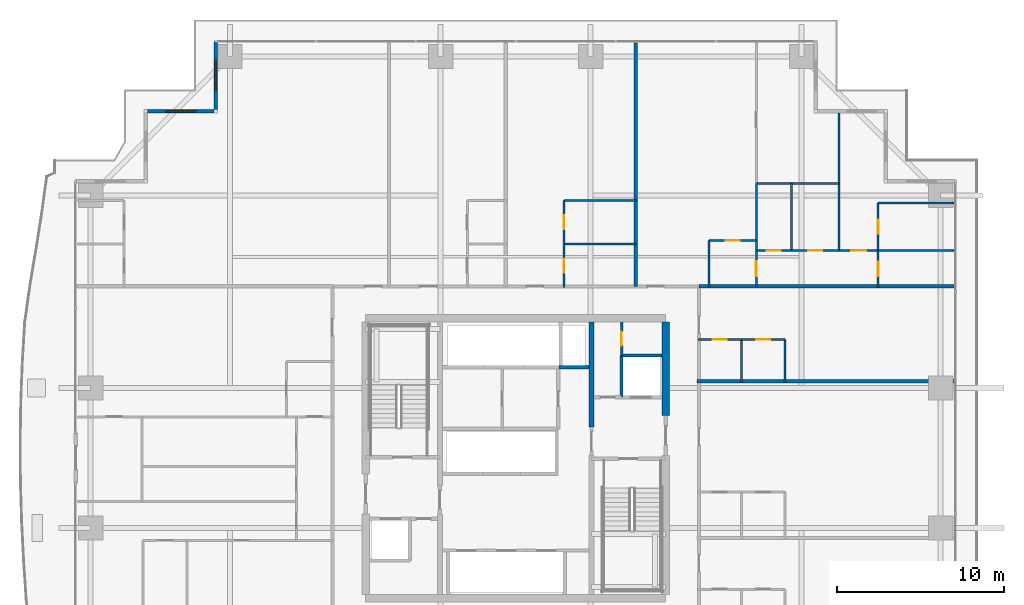
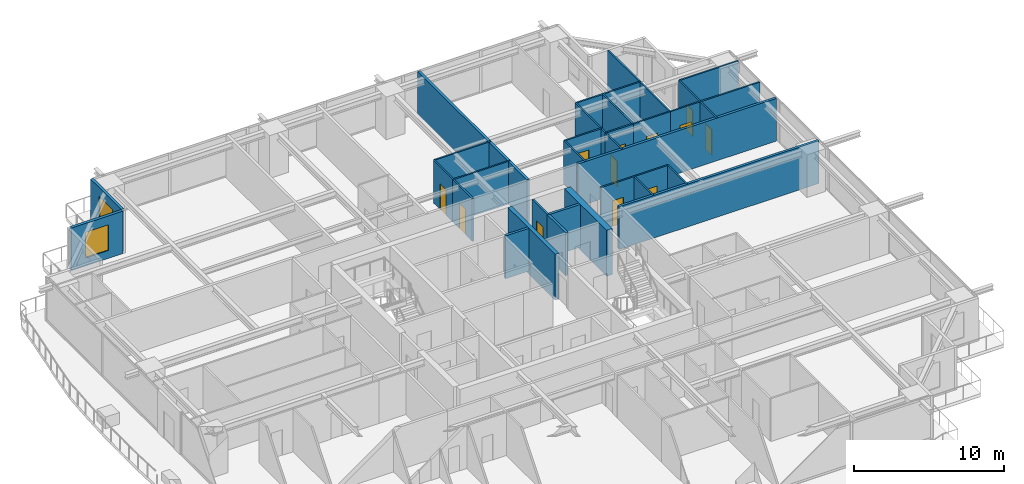
# One storey, part 31 of 40: 33 walls, 12 doors, 2 windows, 14 openings.
"""IFC4 building model written with IfcOpenShell, lengths in metres."""

from ifc_helpers import new_model, si_unit, direction, frame, frame_2d, origin, place, context, subcontext, project, spatial, rectangle, extrude, source, transform, mapped, material, layer, layer_set, type_object, element, fill, save


model = new_model("IFC4")

# Units and contexts
model_context = context("Model", 3, precision=1e-05, world=origin(), true_north=direction((0.0, 1.0)))
body_context = subcontext(model_context, "Body", "Model", "MODEL_VIEW")
ifc_project = project(units=[si_unit("LENGTHUNIT", "METRE"), si_unit("AREAUNIT", "SQUARE_METRE"), si_unit("VOLUMEUNIT", "CUBIC_METRE"), si_unit("PLANEANGLEUNIT", "RADIAN"), si_unit("MASSUNIT", "GRAM", prefix="KILO")], contexts=[model_context])

# Site, building, storey
site_placement = place(None, origin())
site = spatial("IfcSite", under=ifc_project, at=site_placement, CompositionType="ELEMENT")
building_placement = place(site_placement, origin())
building = spatial("IfcBuilding", under=site, at=building_placement, Name="Serunith Strait Residences", CompositionType="ELEMENT")
storey_placement = place(building_placement, frame((0.0, 0.0, 90.449951171875)))
storey = spatial("IfcBuildingStorey", under=building, at=storey_placement, Name="L22", CompositionType="ELEMENT", Elevation=90.449951171875)

# Wall, opening, window
ifc_material_1 = material(Name="Pale-Champagne Aluminium Insulated Panel", Category="aluminium")
ifc_layer_1 = layer(ifc_material_1, 0.219970703125, Name="Pale-Champagne Aluminium Insulated Panel")
ifc_layer_set_1 = layer_set([ifc_layer_1], Name="Pale-Champagne Aluminium Insulated Panel")
wall_type_1 = type_object("IfcWallType", Name="EW-ALUM-220", PredefinedType="ELEMENTEDWALL", material=ifc_layer_set_1)
wall_1_placement = place(storey_placement, frame((14.39990234375, 50.199951171875, 0.0), z_axis=(0.0, 0.0, 1.0), x_axis=(0.0, -1.0, 0.0)))
wall_1 = element("IfcWall", 1, at=wall_1_placement, inside=storey, type_object=wall_type_1, Name="L22 Girih Serrated Corner Wall 12", PredefinedType="ELEMENTEDWALL", context=body_context, shape_type="SweptSolid", body=[
    extrude(rectangle(XDim=4.08984375, YDim=0.219970703125, at=frame_2d((2.044921875, 0.0))), origin(), (0.0, 0.0, 1.0), 3.47509765625),
])
opening_1_placement = place(wall_1_placement, frame((1.14501953125, 0.0, 0.64990234375)))
opening_1 = element("IfcOpeningElement", 2, at=opening_1_placement, cuts=wall_1, Name="Opening W-01", PredefinedType="OPENING", context=body_context, shape_type="SweptSolid", body=[
    extrude(rectangle(XDim=1.800048828125, YDim=2.10009765625, at=frame_2d((0.89990234375, 1.050048828125))), frame((0.0, 0.1201171875, 0.0), z_axis=(0.0, -1.0, 0.0), x_axis=(1.0, 0.0, 0.0)), (0.0, 0.0, 1.0), 0.239990234375),
])
ifc_material_2 = material(Name="Ceramic-Fritted Operable Aluminium Window Glass", Category="aluminium")
window_type = type_object("IfcWindowType", Name="WIN-C1", PartitioningType="DOUBLE_PANEL_VERTICAL", PredefinedType="WINDOW", material=ifc_material_2)
shared_shape_1 = source(origin(), body_context, "Body", "SweptSolid", [
    extrude(rectangle(XDim=1.800048828125, YDim=2.10009765625, at=frame_2d((0.89990234375, 1.050048828125))), frame((0.0, 0.030029296875, 0.0), z_axis=(0.0, -1.0, 0.0), x_axis=(1.0, 0.0, 0.0)), (0.0, 0.0, 1.0), 0.06005859375),
])
window_1_placement = place(opening_1_placement, origin())
window_1 = element("IfcWindow", 3, at=window_1_placement, inside=storey, type_object=window_type, Name="L22 Corner Operable Fritted Window 12", OverallHeight=2.10009765625, OverallWidth=1.800048828125, PartitioningType="SINGLE_PANEL", PredefinedType="WINDOW", context=body_context, shape_type="MappedRepresentation", body=[
    mapped(shared_shape_1, transform((0.0, 0.0, 0.0), scale=1.0)),
])
fill(opening_1, window_1)

wall_2_placement = place(storey_placement, frame((14.2900390625, 46.0, 0.0), z_axis=(0.0, 0.0, 1.0), x_axis=(-1.0, 0.0, 0.0)))
wall_2 = element("IfcWall", 4, at=wall_2_placement, inside=storey, type_object=wall_type_1, Name="L22 Girih Serrated Corner Wall 13", PredefinedType="ELEMENTEDWALL", context=body_context, shape_type="SweptSolid", body=[
    extrude(rectangle(XDim=3.97998046875, YDim=0.219970703125, at=frame_2d((1.989990234375, 0.0))), origin(), (0.0, 0.0, 1.0), 3.47509765625),
])
opening_2_placement = place(wall_2_placement, frame((1.090087890625, 0.0, 0.64990234375)))
opening_2 = element("IfcOpeningElement", 5, at=opening_2_placement, cuts=wall_2, Name="Opening W-01", PredefinedType="OPENING", context=body_context, shape_type="SweptSolid", body=[
    extrude(rectangle(XDim=1.800048828125, YDim=2.10009765625, at=frame_2d((0.89990234375, 1.050048828125))), frame((0.0, 0.1201171875, 0.0), z_axis=(0.0, -1.0, 0.0), x_axis=(1.0, 0.0, 0.0)), (0.0, 0.0, 1.0), 0.239990234375),
])
window_2_placement = place(opening_2_placement, origin())
window_2 = element("IfcWindow", 6, at=window_2_placement, inside=storey, type_object=window_type, Name="L22 Corner Operable Fritted Window 13", OverallHeight=2.10009765625, OverallWidth=1.800048828125, PartitioningType="SINGLE_PANEL", PredefinedType="WINDOW", context=body_context, shape_type="MappedRepresentation", body=[
    mapped(shared_shape_1, transform((0.0, 0.0, 0.0), scale=1.0)),
])
fill(opening_2, window_2)

# Wall, opening, door
ifc_material_3 = material(Name="Fire-rated masonry service closet wall", Category="masonry")
ifc_layer_2 = layer(ifc_material_3, 0.14990234375, Name="Fire-rated masonry service closet wall")
ifc_layer_set_2 = layer_set([ifc_layer_2], Name="Fire-rated masonry service closet wall")
wall_type_2 = type_object("IfcWallType", Name="IW-BOH-150", PredefinedType="PARTITIONING", material=ifc_layer_set_2)
wall_3_placement = place(storey_placement, frame((38.75, 31.35205078125, 0.0), z_axis=(0.0, 0.0, 1.0), x_axis=(0.0, 1.0, 0.0)))
wall_3 = element("IfcWall", 7, at=wall_3_placement, inside=storey, type_object=wall_type_2, Name="L22 Partition Wall 012", PredefinedType="PARTITIONING", context=body_context, shape_type="SweptSolid", body=[
    extrude(rectangle(XDim=2.02294921875, YDim=0.14990234375, at=frame_2d((1.011474609375, 0.0))), origin(), (0.0, 0.0, 1.0), 3.489990234375),
])
opening_3_placement = place(wall_3_placement, frame((0.5859375, 0.0, 0.0)))
opening_3 = element("IfcOpeningElement", 8, at=opening_3_placement, cuts=wall_3, Name="Opening FD-850", PredefinedType="OPENING", context=body_context, shape_type="SweptSolid", body=[
    extrude(rectangle(XDim=0.85009765625, YDim=2.10009765625, at=frame_2d((0.425048828125, 1.050048828125))), frame((0.0, 0.0849609375, 0.0), z_axis=(0.0, -1.0, 0.0), x_axis=(1.0, 0.0, 0.0)), (0.0, 0.0, 1.0), 0.169921875),
])
ifc_material_4 = material(Name="Powder-coated steel service closet door", Category="steel")
door_type_1 = type_object("IfcDoorType", Name="FD-BOH-850", OperationType="NOTDEFINED", PredefinedType="DOOR", material=ifc_material_4)
shared_shape_2 = source(origin(), body_context, "Body", "SweptSolid", [
    extrude(rectangle(XDim=0.85009765625, YDim=2.10009765625, at=frame_2d((0.425048828125, 1.050048828125))), frame((0.0, 0.02490234375, 0.0), z_axis=(0.0, -1.0, 0.0), x_axis=(1.0, 0.0, 0.0)), (0.0, 0.0, 1.0), 0.050048828125),
])
door_1_placement = place(opening_3_placement, origin())
door_1 = element("IfcDoor", 9, at=door_1_placement, inside=storey, type_object=door_type_1, Name="L22 ELV Data Closet Door", OperationType="SINGLE_SWING_RIGHT", OverallHeight=2.10009765625, OverallWidth=0.85009765625, PredefinedType="DOOR", context=body_context, shape_type="MappedRepresentation", body=[
    mapped(shared_shape_2, transform((0.0, 0.0, 0.0), scale=1.0)),
])
fill(opening_3, door_1)

ifc_material_5 = material(Name="Lightweight steel-stud gypsum partition", Category="steel")
ifc_layer_3 = layer(ifc_material_5, 0.1201171875, Name="Lightweight steel-stud gypsum partition")
ifc_layer_set_3 = layer_set([ifc_layer_3], Name="Lightweight steel-stud gypsum partition")
wall_type_3 = type_object("IfcWallType", Name="IW-PART-120", PredefinedType="PARTITIONING", material=ifc_layer_set_3)
wall_4_placement = place(storey_placement, frame((35.300048828125, 40.64990234375, 0.0), z_axis=(0.0, 0.0, 1.0), x_axis=(0.0, -1.0, 0.0)))
wall_4 = element("IfcWall", 10, at=wall_4_placement, inside=storey, type_object=wall_type_3, Name="L22 Partition Wall 066", PredefinedType="PARTITIONING", context=body_context, shape_type="SweptSolid", body=[
    extrude(rectangle(XDim=2.599853515625, YDim=0.1201171875, at=frame_2d((1.2998046875, 0.0))), origin(), (0.0, 0.0, 1.0), 3.489990234375),
])
opening_4_placement = place(wall_4_placement, frame((0.875, 0.0, 0.0)))
opening_4 = element("IfcOpeningElement", 11, at=opening_4_placement, cuts=wall_4, Name="Opening D-RM850", PredefinedType="OPENING", context=body_context, shape_type="SweptSolid", body=[
    extrude(rectangle(XDim=0.85009765625, YDim=2.10009765625, at=frame_2d((0.425048828125, 1.050048828125))), frame((0.0, 0.070068359375, 0.0), z_axis=(0.0, -1.0, 0.0), x_axis=(1.0, 0.0, 0.0)), (0.0, 0.0, 1.0), 0.14013671875),
])
ifc_material_6 = material(Name="Engineered timber flush study and kitchen door", Category="wood")
door_type_2 = type_object("IfcDoorType", Name="ID-ROOM-850", OperationType="NOTDEFINED", PredefinedType="DOOR", material=ifc_material_6)
door_2_placement = place(opening_4_placement, origin())
door_2 = element("IfcDoor", 12, at=door_2_placement, inside=storey, type_object=door_type_2, Name="L22 Kitchen 2204 Door", OperationType="SINGLE_SWING_RIGHT", OverallHeight=2.10009765625, OverallWidth=0.85009765625, PredefinedType="DOOR", context=body_context, shape_type="MappedRepresentation", body=[
    mapped(shared_shape_2, transform((0.0, 0.0, 0.0), scale=1.0)),
])
fill(opening_4, door_2)

wall_5_placement = place(storey_placement, frame((35.300048828125, 38.048095703125, 0.0), z_axis=(0.0, 0.0, 1.0), x_axis=(0.0, -1.0, 0.0)))
wall_5 = element("IfcWall", 13, at=wall_5_placement, inside=storey, type_object=wall_type_3, Name="L22 Partition Wall 067", PredefinedType="PARTITIONING", context=body_context, shape_type="SweptSolid", body=[
    extrude(rectangle(XDim=2.608154296875, YDim=0.1201171875, at=frame_2d((1.30419921875, 0.0))), origin(), (0.0, 0.0, 1.0), 3.489990234375),
])
opening_5_placement = place(wall_5_placement, frame((0.87890625, 0.0, 0.0)))
opening_5 = element("IfcOpeningElement", 14, at=opening_5_placement, cuts=wall_5, Name="Opening D-BTH850", PredefinedType="OPENING", context=body_context, shape_type="SweptSolid", body=[
    extrude(rectangle(XDim=0.85009765625, YDim=2.10009765625, at=frame_2d((0.425048828125, 1.050048828125))), frame((0.0, 0.070068359375, 0.0), z_axis=(0.0, -1.0, 0.0), x_axis=(1.0, 0.0, 0.0)), (0.0, 0.0, 1.0), 0.14013671875),
])
ifc_material_7 = material(Name="Moisture-resistant timber bathroom door", Category="wood")
door_type_3 = type_object("IfcDoorType", Name="ID-BATH-850", OperationType="NOTDEFINED", PredefinedType="DOOR", material=ifc_material_7)
door_3_placement = place(opening_5_placement, origin())
door_3 = element("IfcDoor", 15, at=door_3_placement, inside=storey, type_object=door_type_3, Name="L22 Bathroom 2204 Door", OperationType="SINGLE_SWING_LEFT", OverallHeight=2.10009765625, OverallWidth=0.85009765625, PredefinedType="DOOR", context=body_context, shape_type="MappedRepresentation", body=[
    mapped(shared_shape_2, transform((0.0, 0.0, 0.0), scale=1.0)),
])
fill(opening_5, door_3)

# Walls
for number, where, z_axis, x_axis, name in (
    (16, (35.300048828125, 38.050048828125, 0.0), (0.0, 0.0, 1.0), (1.0, 0.0, 0.0), "L22 Partition Wall 068"),
    (17, (35.300048828125, 40.64990234375, 0.0), (0.0, 0.0, 1.0), (1.0, 0.0, 0.0), "L22 Partition Wall 069"),
):
    element("IfcWall", number, at=place(storey_placement, frame(where, z_axis=z_axis, x_axis=x_axis)), inside=storey, type_object=wall_type_3, Name=name, PredefinedType="PARTITIONING", context=body_context, shape_type="SweptSolid", body=[
        extrude(rectangle(XDim=4.35986328125, YDim=0.1201171875, at=frame_2d((2.179931640625, 0.0))), origin(), (0.0, 0.0, 1.0), 3.489990234375),
    ])

# Wall, opening, door
wall_6_placement = place(storey_placement, frame((43.989990234375, 38.25, 0.0), z_axis=(0.0, 0.0, 1.0), x_axis=(1.0, 0.0, 0.0)))
wall_6 = element("IfcWall", 18, at=wall_6_placement, inside=storey, type_object=wall_type_3, Name="L22 Partition Wall 070", PredefinedType="PARTITIONING", context=body_context, shape_type="SweptSolid", body=[
    extrude(rectangle(XDim=2.85009765625, YDim=0.1201171875, at=frame_2d((1.425048828125, 0.0))), origin(), (0.0, 0.0, 1.0), 3.489990234375),
])
opening_6_placement = place(wall_6_placement, frame((1.0, 0.0, 0.0)))
opening_6 = element("IfcOpeningElement", 19, at=opening_6_placement, cuts=wall_6, Name="Opening D-RM850", PredefinedType="OPENING", context=body_context, shape_type="SweptSolid", body=[
    extrude(rectangle(XDim=0.85009765625, YDim=2.10009765625, at=frame_2d((0.425048828125, 1.050048828125))), frame((0.0, 0.070068359375, 0.0), z_axis=(0.0, -1.0, 0.0), x_axis=(1.0, 0.0, 0.0)), (0.0, 0.0, 1.0), 0.14013671875),
])
door_4_placement = place(opening_6_placement, origin())
door_4 = element("IfcDoor", 20, at=door_4_placement, inside=storey, type_object=door_type_2, Name="L22 Kitchen 2205 Door", OperationType="SINGLE_SWING_RIGHT", OverallHeight=2.10009765625, OverallWidth=0.85009765625, PredefinedType="DOOR", context=body_context, shape_type="MappedRepresentation", body=[
    mapped(shared_shape_2, transform((0.0, 0.0, 0.0), scale=1.0)),
])
fill(opening_6, door_4)

# Wall
wall_7_placement = place(storey_placement, frame((43.989990234375, 38.25, 0.0), z_axis=(0.0, 0.0, 1.0), x_axis=(0.0, -1.0, 0.0)))
element("IfcWall", 21, at=wall_7_placement, inside=storey, type_object=wall_type_3, Name="L22 Partition Wall 071", PredefinedType="PARTITIONING", context=body_context, shape_type="SweptSolid", body=[
    extrude(rectangle(XDim=2.81005859375, YDim=0.1201171875, at=frame_2d((1.405029296875, 0.0))), origin(), (0.0, 0.0, 1.0), 3.489990234375),
])

# Wall, opening, door
wall_8_placement = place(storey_placement, frame((46.840087890625, 37.64990234375, 0.0), z_axis=(0.0, 0.0, 1.0), x_axis=(0.0, -1.0, 0.0)))
wall_8 = element("IfcWall", 22, at=wall_8_placement, inside=storey, type_object=wall_type_3, Name="L22 Partition Wall 072", PredefinedType="PARTITIONING", context=body_context, shape_type="SweptSolid", body=[
    extrude(rectangle(XDim=2.2099609375, YDim=0.1201171875, at=frame_2d((1.10498046875, 0.0))), origin(), (0.0, 0.0, 1.0), 3.489990234375),
])
opening_7_placement = place(wall_8_placement, frame((0.655029296875, 0.0, 0.0)))
opening_7 = element("IfcOpeningElement", 23, at=opening_7_placement, cuts=wall_8, Name="Opening D-RM900", PredefinedType="OPENING", context=body_context, shape_type="SweptSolid", body=[
    extrude(rectangle(XDim=0.89990234375, YDim=2.10009765625, at=frame_2d((0.449951171875, 1.050048828125))), frame((0.0, 0.070068359375, 0.0), z_axis=(0.0, -1.0, 0.0), x_axis=(1.0, 0.0, 0.0)), (0.0, 0.0, 1.0), 0.14013671875),
])
ifc_material_8 = material(Name="Engineered timber flush bedroom door", Category="wood")
door_type_4 = type_object("IfcDoorType", Name="ID-ROOM-900", OperationType="NOTDEFINED", PredefinedType="DOOR", material=ifc_material_8)
shared_shape_3 = source(origin(), body_context, "Body", "SweptSolid", [
    extrude(rectangle(XDim=0.89990234375, YDim=2.10009765625, at=frame_2d((0.449951171875, 1.050048828125))), frame((0.0, 0.02490234375, 0.0), z_axis=(0.0, -1.0, 0.0), x_axis=(1.0, 0.0, 0.0)), (0.0, 0.0, 1.0), 0.050048828125),
])
door_5_placement = place(opening_7_placement, origin())
door_5 = element("IfcDoor", 24, at=door_5_placement, inside=storey, type_object=door_type_4, Name="L22 Hall E 2205 Door", OperationType="SINGLE_SWING_LEFT", OverallHeight=2.10009765625, OverallWidth=0.89990234375, PredefinedType="DOOR", context=body_context, shape_type="MappedRepresentation", body=[
    mapped(shared_shape_3, transform((0.0, 0.0, 0.0), scale=1.0)),
])
fill(opening_7, door_5)

# Walls
wall_9_placement = place(storey_placement, frame((46.840087890625, 41.6650390625, 0.0), z_axis=(0.0, 0.0, 1.0), x_axis=(0.0, -1.0, 0.0)))
element("IfcWall", 25, at=wall_9_placement, inside=storey, type_object=wall_type_3, Name="L22 Partition Wall 074", PredefinedType="PARTITIONING", context=body_context, shape_type="SweptSolid", body=[
    extrude(rectangle(XDim=4.012939453125, YDim=0.1201171875, at=frame_2d((2.00634765625, 0.0))), origin(), (0.0, 0.0, 1.0), 3.489990234375),
])
wall_10_placement = place(storey_placement, frame((46.840087890625, 41.6669921875, 0.0), z_axis=(0.0, 0.0, 1.0), x_axis=(1.0, 0.0, 0.0)))
element("IfcWall", 26, at=wall_10_placement, inside=storey, type_object=wall_type_3, Name="L22 Partition Wall 075", PredefinedType="PARTITIONING", context=body_context, shape_type="SweptSolid", body=[
    extrude(rectangle(XDim=4.9599609375, YDim=0.1201171875, at=frame_2d((2.47998046875, 0.0))), origin(), (0.0, 0.0, 1.0), 3.489990234375),
])
wall_11_placement = place(storey_placement, frame((51.800048828125, 45.905029296875, 0.0), z_axis=(0.0, 0.0, 1.0), x_axis=(0.0, -1.0, 0.0)))
element("IfcWall", 27, at=wall_11_placement, inside=storey, type_object=wall_type_3, Name="L22 Partition Wall 076", PredefinedType="PARTITIONING", context=body_context, shape_type="SweptSolid", body=[
    extrude(rectangle(XDim=8.255126953125, YDim=0.1201171875, at=frame_2d((4.12744140625, 0.0))), origin(), (0.0, 0.0, 1.0), 3.489990234375),
])
wall_12_placement = place(storey_placement, frame((48.93994140625, 41.6669921875, 0.0), z_axis=(0.0, 0.0, 1.0), x_axis=(0.0, -1.0, 0.0)))
element("IfcWall", 28, at=wall_12_placement, inside=storey, type_object=wall_type_3, Name="L22 Partition Wall 077", PredefinedType="PARTITIONING", context=body_context, shape_type="SweptSolid", body=[
    extrude(rectangle(XDim=4.01708984375, YDim=0.1201171875, at=frame_2d((2.008544921875, 0.0))), origin(), (0.0, 0.0, 1.0), 3.489990234375),
])

# Wall, opening, door
wall_13_placement = place(storey_placement, frame((46.840087890625, 37.64990234375, 0.0), z_axis=(0.0, 0.0, 1.0), x_axis=(1.0, 0.0, 0.0)))
wall_13 = element("IfcWall", 29, at=wall_13_placement, inside=storey, type_object=wall_type_3, Name="L22 Partition Wall 078", PredefinedType="PARTITIONING", context=body_context, shape_type="SweptSolid", body=[
    extrude(rectangle(XDim=2.099853515625, YDim=0.1201171875, at=frame_2d((1.0498046875, 0.0))), origin(), (0.0, 0.0, 1.0), 3.489990234375),
])
opening_8_placement = place(wall_13_placement, frame((0.625, 0.0, 0.0)))
opening_8 = element("IfcOpeningElement", 30, at=opening_8_placement, cuts=wall_13, Name="Opening D-BTH850", PredefinedType="OPENING", context=body_context, shape_type="SweptSolid", body=[
    extrude(rectangle(XDim=0.85009765625, YDim=2.10009765625, at=frame_2d((0.425048828125, 1.050048828125))), frame((0.0, 0.070068359375, 0.0), z_axis=(0.0, -1.0, 0.0), x_axis=(1.0, 0.0, 0.0)), (0.0, 0.0, 1.0), 0.14013671875),
])
door_6_placement = place(opening_8_placement, origin())
door_6 = element("IfcDoor", 31, at=door_6_placement, inside=storey, type_object=door_type_3, Name="L22 Bathroom 2205 Door", OperationType="SINGLE_SWING_LEFT", OverallHeight=2.10009765625, OverallWidth=0.85009765625, PredefinedType="DOOR", context=body_context, shape_type="MappedRepresentation", body=[
    mapped(shared_shape_2, transform((0.0, 0.0, 0.0), scale=1.0)),
])
fill(opening_8, door_6)

wall_14_placement = place(storey_placement, frame((48.94189453125, 37.64990234375, 0.0), z_axis=(0.0, 0.0, 1.0), x_axis=(1.0, 0.0, 0.0)))
wall_14 = element("IfcWall", 32, at=wall_14_placement, inside=storey, type_object=wall_type_3, Name="L22 Partition Wall 079", PredefinedType="PARTITIONING", context=body_context, shape_type="SweptSolid", body=[
    extrude(rectangle(XDim=2.858154296875, YDim=0.1201171875, at=frame_2d((1.42919921875, 0.0))), origin(), (0.0, 0.0, 1.0), 3.489990234375),
])
opening_9_placement = place(wall_14_placement, frame((1.00390625, 0.0, 0.0)))
opening_9 = element("IfcOpeningElement", 33, at=opening_9_placement, cuts=wall_14, Name="Opening D-RM850", PredefinedType="OPENING", context=body_context, shape_type="SweptSolid", body=[
    extrude(rectangle(XDim=0.85009765625, YDim=2.10009765625, at=frame_2d((0.425048828125, 1.050048828125))), frame((0.0, 0.070068359375, 0.0), z_axis=(0.0, -1.0, 0.0), x_axis=(1.0, 0.0, 0.0)), (0.0, 0.0, 1.0), 0.14013671875),
])
door_7_placement = place(opening_9_placement, origin())
door_7 = element("IfcDoor", 34, at=door_7_placement, inside=storey, type_object=door_type_2, Name="L22 Formal Dining Room 2205 Door", OperationType="SINGLE_SWING_RIGHT", OverallHeight=2.10009765625, OverallWidth=0.85009765625, PredefinedType="DOOR", context=body_context, shape_type="MappedRepresentation", body=[
    mapped(shared_shape_2, transform((0.0, 0.0, 0.0), scale=1.0)),
])
fill(opening_9, door_7)

wall_15_placement = place(storey_placement, frame((51.802001953125, 37.64990234375, 0.0), z_axis=(0.0, 0.0, 1.0), x_axis=(1.0, 0.0, 0.0)))
wall_15 = element("IfcWall", 35, at=wall_15_placement, inside=storey, type_object=wall_type_3, Name="L22 Partition Wall 080", PredefinedType="PARTITIONING", context=body_context, shape_type="SweptSolid", body=[
    extrude(rectangle(XDim=2.347900390625, YDim=0.1201171875, at=frame_2d((1.173828125, 0.0))), origin(), (0.0, 0.0, 1.0), 3.489990234375),
])
opening_10_placement = place(wall_15_placement, frame((0.72412109375, 0.0, 0.0)))
opening_10 = element("IfcOpeningElement", 36, at=opening_10_placement, cuts=wall_15, Name="Opening D-RM900", PredefinedType="OPENING", context=body_context, shape_type="SweptSolid", body=[
    extrude(rectangle(XDim=0.89990234375, YDim=2.10009765625, at=frame_2d((0.449951171875, 1.050048828125))), frame((0.0, 0.070068359375, 0.0), z_axis=(0.0, -1.0, 0.0), x_axis=(1.0, 0.0, 0.0)), (0.0, 0.0, 1.0), 0.14013671875),
])
door_8_placement = place(opening_10_placement, origin())
door_8 = element("IfcDoor", 37, at=door_8_placement, inside=storey, type_object=door_type_4, Name="L22 Master Bedroom E 2205 Door", OperationType="SINGLE_SWING_LEFT", OverallHeight=2.10009765625, OverallWidth=0.89990234375, PredefinedType="DOOR", context=body_context, shape_type="MappedRepresentation", body=[
    mapped(shared_shape_3, transform((0.0, 0.0, 0.0), scale=1.0)),
])
fill(opening_10, door_8)

# Walls
wall_16_placement = place(storey_placement, frame((54.14990234375, 40.506103515625, 0.0), z_axis=(0.0, 0.0, 1.0), x_axis=(1.0, 0.0, 0.0)))
element("IfcWall", 38, at=wall_16_placement, inside=storey, type_object=wall_type_3, Name="L22 Partition Wall 081", PredefinedType="PARTITIONING", context=body_context, shape_type="SweptSolid", body=[
    extrude(rectangle(XDim=4.55517578125, YDim=0.1201171875, at=frame_2d((2.277587890625, 0.0))), origin(), (0.0, 0.0, 1.0), 3.489990234375),
])
wall_17_placement = place(storey_placement, frame((54.152099609375, 37.64990234375, 0.0), z_axis=(0.0, 0.0, 1.0), x_axis=(1.0, 0.0, 0.0)))
element("IfcWall", 39, at=wall_17_placement, inside=storey, type_object=wall_type_3, Name="L22 Partition Wall 082", PredefinedType="PARTITIONING", context=body_context, shape_type="SweptSolid", body=[
    extrude(rectangle(XDim=4.552978515625, YDim=0.1201171875, at=frame_2d((2.2763671875, 0.0))), origin(), (0.0, 0.0, 1.0), 3.489990234375),
])

# Wall, opening, door
wall_18_placement = place(storey_placement, frame((54.14990234375, 40.506103515625, 0.0), z_axis=(0.0, 0.0, 1.0), x_axis=(0.0, -1.0, 0.0)))
wall_18 = element("IfcWall", 40, at=wall_18_placement, inside=storey, type_object=wall_type_3, Name="L22 Partition Wall 083", PredefinedType="PARTITIONING", context=body_context, shape_type="SweptSolid", body=[
    extrude(rectangle(XDim=2.856201171875, YDim=0.1201171875, at=frame_2d((1.42822265625, 0.0))), origin(), (0.0, 0.0, 1.0), 3.489990234375),
])
opening_11_placement = place(wall_18_placement, frame((1.0029296875, 0.0, 0.0)))
opening_11 = element("IfcOpeningElement", 41, at=opening_11_placement, cuts=wall_18, Name="Opening D-BTH850", PredefinedType="OPENING", context=body_context, shape_type="SweptSolid", body=[
    extrude(rectangle(XDim=0.85009765625, YDim=2.10009765625, at=frame_2d((0.425048828125, 1.050048828125))), frame((0.0, 0.070068359375, 0.0), z_axis=(0.0, -1.0, 0.0), x_axis=(1.0, 0.0, 0.0)), (0.0, 0.0, 1.0), 0.14013671875),
])
door_9_placement = place(opening_11_placement, origin())
door_9 = element("IfcDoor", 42, at=door_9_placement, inside=storey, type_object=door_type_3, Name="L22 En-suite Bathroom E 2205 Door", OperationType="SINGLE_SWING_RIGHT", OverallHeight=2.10009765625, OverallWidth=0.85009765625, PredefinedType="DOOR", context=body_context, shape_type="MappedRepresentation", body=[
    mapped(shared_shape_2, transform((0.0, 0.0, 0.0), scale=1.0)),
])
fill(opening_11, door_9)

wall_19_placement = place(storey_placement, frame((54.14990234375, 37.64794921875, 0.0), z_axis=(0.0, 0.0, 1.0), x_axis=(0.0, -1.0, 0.0)))
wall_19 = element("IfcWall", 43, at=wall_19_placement, inside=storey, type_object=wall_type_3, Name="L22 Partition Wall 084", PredefinedType="PARTITIONING", context=body_context, shape_type="SweptSolid", body=[
    extrude(rectangle(XDim=2.2080078125, YDim=0.1201171875, at=frame_2d((1.10400390625, 0.0))), origin(), (0.0, 0.0, 1.0), 3.489990234375),
])
opening_12_placement = place(wall_19_placement, frame((0.678955078125, 0.0, 0.0)))
opening_12 = element("IfcOpeningElement", 44, at=opening_12_placement, cuts=wall_19, Name="Opening D-RM850", PredefinedType="OPENING", context=body_context, shape_type="SweptSolid", body=[
    extrude(rectangle(XDim=0.85009765625, YDim=2.10009765625, at=frame_2d((0.425048828125, 1.050048828125))), frame((0.0, 0.070068359375, 0.0), z_axis=(0.0, -1.0, 0.0), x_axis=(1.0, 0.0, 0.0)), (0.0, 0.0, 1.0), 0.14013671875),
])
door_10_placement = place(opening_12_placement, origin())
door_10 = element("IfcDoor", 45, at=door_10_placement, inside=storey, type_object=door_type_2, Name="L22 Wardrobe E 2205 Door", OperationType="SINGLE_SWING_LEFT", OverallHeight=2.10009765625, OverallWidth=0.85009765625, PredefinedType="DOOR", context=body_context, shape_type="MappedRepresentation", body=[
    mapped(shared_shape_2, transform((0.0, 0.0, 0.0), scale=1.0)),
])
fill(opening_12, door_10)

wall_20_placement = place(storey_placement, frame((48.550048828125, 32.31005859375, 0.0), z_axis=(0.0, 0.0, 1.0), x_axis=(-1.0, 0.0, 0.0)))
wall_20 = element("IfcWall", 46, at=wall_20_placement, inside=storey, type_object=wall_type_3, Name="L22 Partition Wall 109", PredefinedType="PARTITIONING", context=body_context, shape_type="SweptSolid", body=[
    extrude(rectangle(XDim=2.60009765625, YDim=0.1201171875, at=frame_2d((1.300048828125, 0.0))), origin(), (0.0, 0.0, 1.0), 3.489990234375),
])
opening_13_placement = place(wall_20_placement, frame((0.875, 0.0, 0.0)))
opening_13 = element("IfcOpeningElement", 47, at=opening_13_placement, cuts=wall_20, Name="Opening D-RM850", PredefinedType="OPENING", context=body_context, shape_type="SweptSolid", body=[
    extrude(rectangle(XDim=0.85009765625, YDim=2.10009765625, at=frame_2d((0.425048828125, 1.050048828125))), frame((0.0, 0.070068359375, 0.0), z_axis=(0.0, -1.0, 0.0), x_axis=(1.0, 0.0, 0.0)), (0.0, 0.0, 1.0), 0.14013671875),
])
door_11_placement = place(opening_13_placement, origin())
door_11 = element("IfcDoor", 48, at=door_11_placement, inside=storey, type_object=door_type_2, Name="L22 Kitchen 2209 Door", OperationType="SINGLE_SWING_RIGHT", OverallHeight=2.10009765625, OverallWidth=0.85009765625, PredefinedType="DOOR", context=body_context, shape_type="MappedRepresentation", body=[
    mapped(shared_shape_2, transform((0.0, 0.0, 0.0), scale=1.0)),
])
fill(opening_13, door_11)

wall_21_placement = place(storey_placement, frame((45.947998046875, 32.31005859375, 0.0), z_axis=(0.0, 0.0, 1.0), x_axis=(-1.0, 0.0, 0.0)))
wall_21 = element("IfcWall", 49, at=wall_21_placement, inside=storey, type_object=wall_type_3, Name="L22 Partition Wall 110", PredefinedType="PARTITIONING", context=body_context, shape_type="SweptSolid", body=[
    extrude(rectangle(XDim=2.60791015625, YDim=0.1201171875, at=frame_2d((1.303955078125, 0.0))), origin(), (0.0, 0.0, 1.0), 3.489990234375),
])
opening_14_placement = place(wall_21_placement, frame((0.87890625, 0.0, 0.0)))
opening_14 = element("IfcOpeningElement", 50, at=opening_14_placement, cuts=wall_21, Name="Opening D-BTH850", PredefinedType="OPENING", context=body_context, shape_type="SweptSolid", body=[
    extrude(rectangle(XDim=0.85009765625, YDim=2.10009765625, at=frame_2d((0.425048828125, 1.050048828125))), frame((0.0, 0.070068359375, 0.0), z_axis=(0.0, -1.0, 0.0), x_axis=(1.0, 0.0, 0.0)), (0.0, 0.0, 1.0), 0.14013671875),
])
door_12_placement = place(opening_14_placement, origin())
door_12 = element("IfcDoor", 51, at=door_12_placement, inside=storey, type_object=door_type_3, Name="L22 Bathroom 2209 Door", OperationType="SINGLE_SWING_LEFT", OverallHeight=2.10009765625, OverallWidth=0.85009765625, PredefinedType="DOOR", context=body_context, shape_type="MappedRepresentation", body=[
    mapped(shared_shape_2, transform((0.0, 0.0, 0.0), scale=1.0)),
])
fill(opening_14, door_12)

# Walls
for number, where, z_axis, x_axis, name in (
    (52, (45.949951171875, 29.739990234375, 0.0), (0.0, 0.0, 1.0), (0.0, 1.0, 0.0), "L22 Partition Wall 111"),
    (53, (48.550048828125, 29.739990234375, 0.0), (0.0, 0.0, 1.0), (0.0, 1.0, 0.0), "L22 Partition Wall 112"),
):
    element("IfcWall", number, at=place(storey_placement, frame(where, z_axis=z_axis, x_axis=x_axis)), inside=storey, type_object=wall_type_3, Name=name, PredefinedType="PARTITIONING", context=body_context, shape_type="SweptSolid", body=[
        extrude(rectangle(XDim=2.570068359375, YDim=0.1201171875, at=frame_2d((1.28515625, 0.0))), origin(), (0.0, 0.0, 1.0), 3.489990234375),
    ])
ifc_material_9 = material(Name="Twin-stud acoustic gypsum board partition")
ifc_layer_4 = layer(ifc_material_9, 0.199951171875, Name="Twin-stud acoustic gypsum board partition")
ifc_layer_set_4 = layer_set([ifc_layer_4], Name="Twin-stud acoustic gypsum board partition")
wall_type_4 = type_object("IfcWallType", Name="IW-PARTY-200", PredefinedType="PARTITIONING", material=ifc_layer_set_4)
wall_22_placement = place(storey_placement, frame((39.60009765625, 35.5, 0.0), z_axis=(0.0, 0.0, 1.0), x_axis=(0.0, 1.0, 0.0)))
element("IfcWall", 54, at=wall_22_placement, inside=storey, type_object=wall_type_4, Name="L22 Partition Wall 017", PredefinedType="PARTITIONING", context=body_context, shape_type="SweptSolid", body=[
    extrude(rectangle(XDim=14.617919921875, YDim=0.199951171875, at=frame_2d((7.30908203125, 0.0))), origin(), (0.0, 0.0, 1.0), 3.489990234375),
])
wall_23_placement = place(storey_placement, frame((43.280029296875, 29.800048828125, 0.0), z_axis=(0.0, 0.0, 1.0), x_axis=(1.0, 0.0, 0.0)))
element("IfcWall", 55, at=wall_23_placement, inside=storey, type_object=wall_type_4, Name="L22 Partition Wall 019", PredefinedType="PARTITIONING", context=body_context, shape_type="SweptSolid", body=[
    extrude(rectangle(XDim=15.43798828125, YDim=0.199951171875, at=frame_2d((7.718994140625, 0.0))), origin(), (0.0, 0.0, 1.0), 3.489990234375),
])
wall_24_placement = place(storey_placement, frame((43.39990234375, 35.5, 0.0), z_axis=(0.0, 0.0, 1.0), x_axis=(1.0, 0.0, 0.0)))
element("IfcWall", 56, at=wall_24_placement, inside=storey, type_object=wall_type_4, Name="L22 Partition Wall 023", PredefinedType="PARTITIONING", context=body_context, shape_type="SweptSolid", body=[
    extrude(rectangle(XDim=15.318115234375, YDim=0.199951171875, at=frame_2d((7.6591796875, 0.0))), origin(), (0.0, 0.0, 1.0), 3.489990234375),
])
ifc_material_10 = material(Name="Autoclaved aerated concrete blockwork", Category="masonry")
ifc_layer_5 = layer(ifc_material_10, 0.199951171875, Name="Autoclaved aerated concrete blockwork")
ifc_layer_set_5 = layer_set([ifc_layer_5], Name="Autoclaved aerated concrete blockwork")
wall_type_5 = type_object("IfcWallType", Name="IW-SHAFT-200", PredefinedType="STANDARD", material=ifc_layer_set_5)
wall_25_placement = place(storey_placement, frame((35.0, 30.64990234375, 0.0), z_axis=(0.0, 0.0, 1.0), x_axis=(1.0, 0.0, 0.0)))
element("IfcWall", 57, at=wall_25_placement, inside=storey, type_object=wall_type_5, Name="L22 SL-1 South Shaft Wall", PredefinedType="STANDARD", context=body_context, shape_type="SweptSolid", body=[
    extrude(rectangle(XDim=1.800048828125, YDim=0.199951171875, at=frame_2d((0.89990234375, 0.0))), origin(), (0.0, 0.0, 1.0), 3.489990234375),
])
wall_26_placement = place(storey_placement, frame((38.75, 28.85009765625, 0.0), z_axis=(0.0, 0.0, 1.0), x_axis=(0.0, 1.0, 0.0)))
element("IfcWall", 58, at=wall_26_placement, inside=storey, type_object=wall_type_5, Name="L22 Partition Wall 004", PredefinedType="STANDARD", context=body_context, shape_type="SweptSolid", body=[
    extrude(rectangle(XDim=2.5, YDim=0.199951171875, at=frame_2d((1.25, 0.0))), origin(), (0.0, 0.0, 1.0), 3.489990234375),
])
wall_27_placement = place(storey_placement, frame((38.75, 31.35009765625, 0.0), z_axis=(0.0, 0.0, 1.0), x_axis=(1.0, 0.0, 0.0)))
element("IfcWall", 59, at=wall_27_placement, inside=storey, type_object=wall_type_5, Name="L22 Partition Wall 005", PredefinedType="STANDARD", context=body_context, shape_type="SweptSolid", body=[
    extrude(rectangle(XDim=2.425048828125, YDim=0.199951171875, at=frame_2d((1.21240234375, 0.0))), origin(), (0.0, 0.0, 1.0), 3.489990234375),
])
ifc_material_11 = material(Name="Concrete C80/95", Category="concrete")
ifc_layer_6 = layer(ifc_material_11, 0.300048828125, Name="Concrete C80/95")
ifc_layer_set_6 = layer_set([ifc_layer_6], Name="Concrete C80/95")
wall_type_6 = type_object("IfcWallType", Name="SW-300-C80", PredefinedType="SHEAR", material=ifc_layer_set_6)
wall_28_placement = place(storey_placement, frame((36.949951171875, 27.050048828125, -0.260009765625), z_axis=(0.0, 0.0, 1.0), x_axis=(0.0, 1.0, 0.0)))
element("IfcWall", 60, at=wall_28_placement, inside=storey, type_object=wall_type_6, Name="L22 Core Internal East Web North Pier", PredefinedType="SHEAR", context=body_context, shape_type="SweptSolid", body=[
    extrude(rectangle(XDim=6.324951171875, YDim=0.300048828125, at=frame_2d((3.16259765625, 0.0))), origin(), (0.0, 0.0, 1.0), 3.748046875),
])
ifc_layer_7 = layer(ifc_material_11, 0.449951171875, Name="Concrete C80/95")
ifc_layer_set_7 = layer_set([ifc_layer_7], Name="Concrete C80/95")
wall_type_7 = type_object("IfcWallType", Name="SW-450-C80", PredefinedType="SHEAR", material=ifc_layer_set_7)
wall_29_placement = place(storey_placement, frame((41.39990234375, 27.75, -0.260009765625), z_axis=(0.0, 0.0, 1.0), x_axis=(0.0, 1.0, 0.0)))
element("IfcWall", 61, at=wall_29_placement, inside=storey, type_object=wall_type_7, Name="L22 Core East Shear Wall North Pier", PredefinedType="SHEAR", context=body_context, shape_type="SweptSolid", body=[
    extrude(rectangle(XDim=5.625, YDim=0.449951171875, at=frame_2d((2.8125, 0.0))), origin(), (0.0, 0.0, 1.0), 3.748046875),
])

save(model, "model.ifc")
